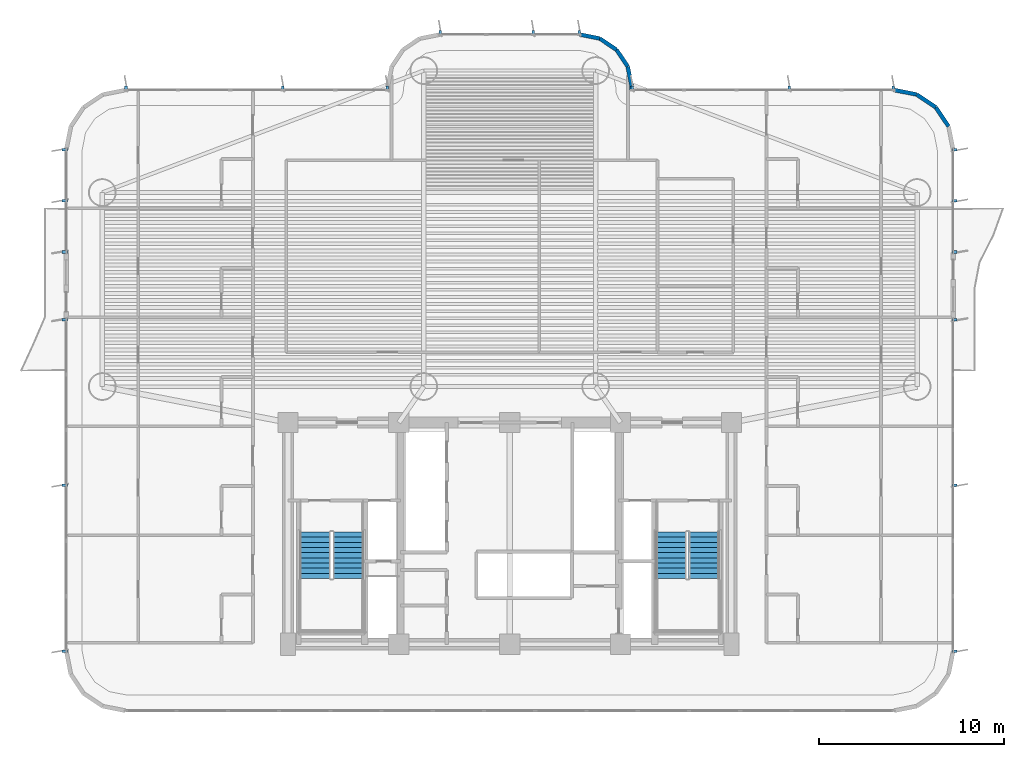
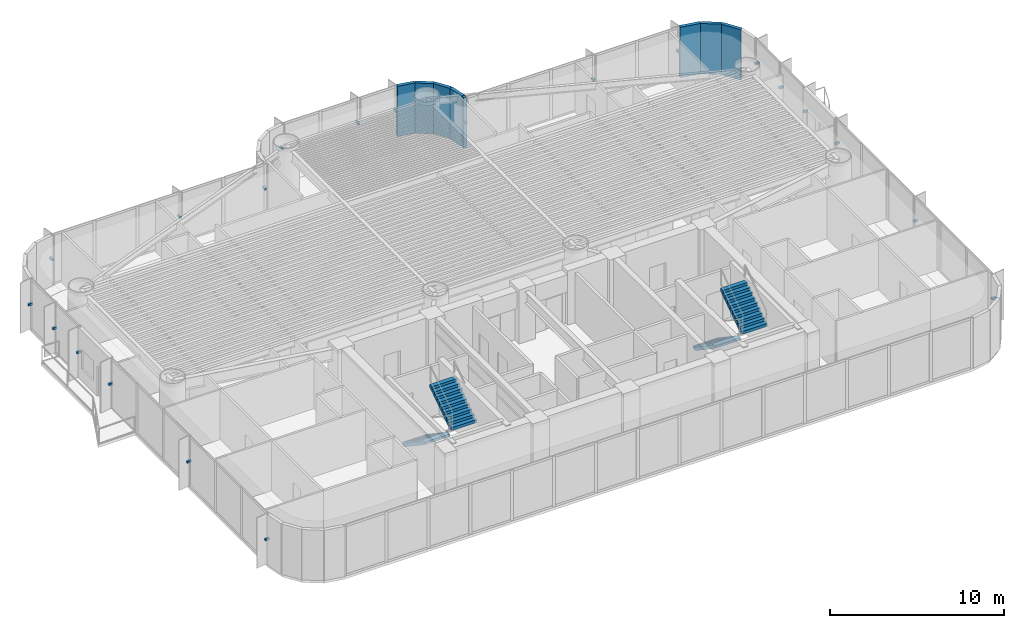
# One storey, part 14 of 18: 21 discrete accessories, 8 walls, 4 stair flights, 2 elements without a shape of their own.
"""IFC4 building model written with IfcOpenShell, lengths in metres."""

from ifc_helpers import new_model, si_unit, direction, frame, frame_2d, origin, origin_2d, place, context, subcontext, project, spatial, polyline, rectangle, outline, extrude, source, transform, mapped, material, layer, layer_set, type_object, element, aggregate, save


model = new_model("IFC4")

# Units and contexts
model_context = context("Model", 3, precision=1e-05, world=origin(), true_north=direction((0.0, 1.0)))
body_context = subcontext(model_context, "Body", "Model", "MODEL_VIEW")
ifc_project = project(units=[si_unit("LENGTHUNIT", "METRE"), si_unit("AREAUNIT", "SQUARE_METRE"), si_unit("VOLUMEUNIT", "CUBIC_METRE"), si_unit("PLANEANGLEUNIT", "RADIAN"), si_unit("MASSUNIT", "GRAM", prefix="KILO")], contexts=[model_context])

# Site, building, storey
site_placement = place(None, origin())
site = spatial("IfcSite", under=ifc_project, at=site_placement, CompositionType="ELEMENT")
building_placement = place(site_placement, origin())
building = spatial("IfcBuilding", under=site, at=building_placement, Name="Brelvock Crest Care Tower", CompositionType="ELEMENT")
storey_placement = place(building_placement, frame((0.0, 0.0, 42.1201171875)))
storey = spatial("IfcBuildingStorey", under=building, at=storey_placement, Name="L10", CompositionType="ELEMENT", Elevation=42.1201171875)

# Walls
ifc_material_1 = material(Name="Precast concrete N40 (40 MPa)", Category="concrete")
ifc_layer = layer(ifc_material_1, 0.215087890625, Name="WL-EX2")
ifc_layer_set = layer_set([ifc_layer], Name="Precast concrete N40 (40 MPa)")
wall_type = type_object("IfcWallType", Name="WL-EX2", PredefinedType="SOLIDWALL", material=ifc_layer_set)
for number, where, z_axis, x_axis, name in (
    (1, (58.024658203125, 35.75634765625, 0.0), (0.0, 0.0, 1.0), (0.831478245117, -0.555557312883, 0.0), "L10 Rounded Corner Wall 00"),
    (2, (59.062744140625, 35.062744140625, 0.0), (0.0, 0.0, 1.0), (0.555557312883, -0.831478245117, 0.0), "L10 Rounded Corner Wall 01"),
):
    element("IfcWall", number, at=place(storey_placement, frame(where, z_axis=z_axis, x_axis=x_axis)), inside=storey, type_object=wall_type, Name=name, PredefinedType="SOLIDWALL", context=body_context, shape_type="SweptSolid", body=[
        extrude(rectangle(XDim=1.24853515625, YDim=0.215087890625, at=frame_2d((0.624267578125, 0.0))), origin(), (0.0, 0.0, 1.0), 3.52978515625),
    ])
wall_1_placement = place(storey_placement, frame((39.800048828125, 39.0, 0.0), z_axis=(0.0, 0.0, 1.0), x_axis=(0.980786408364, -0.195084651288, 0.0)))
element("IfcWall", 3, at=wall_1_placement, inside=storey, type_object=wall_type, Name="L10 Rounded Corner Wall 25", PredefinedType="SOLIDWALL", context=body_context, shape_type="SweptSolid", body=[
    extrude(rectangle(XDim=1.092529296875, YDim=0.215087890625, at=frame_2d((0.54638671875, 0.0))), origin(), (0.0, 0.0, 1.0), 3.52978515625),
])
wall_2_placement = place(storey_placement, frame((40.87158203125, 38.786865234375, 0.0), z_axis=(0.0, 0.0, 1.0), x_axis=(0.831430845238, -0.555628247651, 0.0)))
element("IfcWall", 4, at=wall_2_placement, inside=storey, type_object=wall_type, Name="L10 Rounded Corner Wall 26", PredefinedType="SOLIDWALL", context=body_context, shape_type="SweptSolid", body=[
    extrude(rectangle(XDim=1.09228515625, YDim=0.215087890625, at=frame_2d((0.546142578125, 0.0))), origin(), (0.0, 0.0, 1.0), 3.52978515625),
])
wall_3_placement = place(storey_placement, frame((41.77978515625, 38.179931640625, 0.0), z_axis=(0.0, 0.0, 1.0), x_axis=(0.555679482341, -0.831396603857, 0.0)))
element("IfcWall", 5, at=wall_3_placement, inside=storey, type_object=wall_type, Name="L10 Rounded Corner Wall 27", PredefinedType="SOLIDWALL", context=body_context, shape_type="SweptSolid", body=[
    extrude(rectangle(XDim=1.0927734375, YDim=0.215087890625, at=frame_2d((0.54638671875, 0.0))), origin(), (0.0, 0.0, 1.0), 3.52978515625),
])
wall_4_placement = place(storey_placement, frame((42.386962890625, 37.271484375, 0.0), z_axis=(0.0, 0.0, 1.0), x_axis=(0.195084651288, -0.980786408364, 0.0)))
element("IfcWall", 6, at=wall_4_placement, inside=storey, type_object=wall_type, Name="L10 Rounded Corner Wall 28", PredefinedType="SOLIDWALL", context=body_context, shape_type="SweptSolid", body=[
    extrude(rectangle(XDim=1.092529296875, YDim=0.215087890625, at=frame_2d((0.54638671875, 0.0))), origin(), (0.0, 0.0, 1.0), 3.52978515625),
])
wall_5_placement = place(storey_placement, frame((42.60009765625, 36.199951171875, 0.0), z_axis=(0.0, 0.0, 1.0), x_axis=(0.0, -1.0, 0.0)))
element("IfcWall", 7, at=wall_5_placement, inside=storey, type_object=wall_type, Name="L10 Rounded Corner Wall 29", PredefinedType="SOLIDWALL", context=body_context, shape_type="SweptSolid", body=[
    extrude(rectangle(XDim=0.199951171875, YDim=0.215087890625, at=frame_2d((0.10009765625, 0.0))), origin(), (0.0, 0.0, 1.0), 3.52978515625),
])
wall_6_placement = place(storey_placement, frame((56.800048828125, 36.0, 0.0), z_axis=(0.0, 0.0, 1.0), x_axis=(0.980775717779, -0.195138390419, 0.0)))
element("IfcWall", 8, at=wall_6_placement, inside=storey, type_object=wall_type, Name="L10 Rounded Corner Wall 31", PredefinedType="SOLIDWALL", context=body_context, shape_type="SweptSolid", body=[
    extrude(rectangle(XDim=1.24853515625, YDim=0.215087890625, at=frame_2d((0.624267578125, 0.0))), origin(), (0.0, 0.0, 1.0), 3.52978515625),
])

# Stair, stair flights
ifc_material_2 = material(Name="Concrete N40 (40 MPa)", Category="concrete")
stair_type = type_object("IfcStairType", Name="ST-CORE1", PredefinedType="HALF_TURN_STAIR", material=ifc_material_2)
stair_1_placement = place(storey_placement, origin())
stair_1 = element("IfcStair", 9, at=stair_1_placement, inside=storey, type_object=stair_type, Name="L10 Fire-Isolated Core Stair ST-1", PredefinedType="HALF_TURN_STAIR")
stair_flight_type = type_object("IfcStairFlightType", Name="STF-1", PredefinedType="STRAIGHT", material=ifc_material_2)
stair_flight_1_placement = place(storey_placement, frame((25.469970703125, 12.080078125, 0.0), z_axis=(0.0, 0.0, 1.0), x_axis=(0.0, -1.0, 0.0)))
stair_flight_1 = element("IfcStairFlight", 10, at=stair_flight_1_placement, type_object=stair_flight_type, Name="ST-1 flight 1", NumberOfRisers=10, NumberOfTreads=9, PredefinedType="STRAIGHT", RiserHeight=0.189, TreadLength=0.28, context=body_context, shape_type="SweptSolid", body=[
    extrude(outline(polyline([(-0.00390625, -0.014892578125), (-0.00390625, -0.0078125), (-0.00390625, -0.00048828125), (-0.00390625, 0.0068359375), (-0.00390625, 0.01416015625), (-0.00390625, 0.021484375), (-0.00390625, 0.02880859375), (-0.00390625, 0.035888671875), (-0.00390625, 0.043212890625), (-0.00390625, 0.050537109375), (-0.00390625, 0.057861328125), (-0.00390625, 0.065185546875), (-0.00390625, 0.072509765625), (-0.00390625, 0.07958984375), (-0.00390625, 0.0869140625), (-0.00390625, 0.09423828125), (-0.00390625, 0.1015625), (-0.00390625, 0.10888671875), (-0.00390625, 0.1162109375), (-0.00390625, 0.12353515625), (-0.00390625, 0.130615234375), (-0.00390625, 0.137939453125), (-0.00390625, 0.145263671875), (-0.00390625, 0.152587890625), (-0.00390625, 0.159912109375), (-0.00390625, 0.167236328125), (-0.00390625, 0.17431640625), (-0.00390625, 0.181640625), (-0.00390625, 0.18896484375), (0.0, 0.18896484375), (0.280029296875, 0.18896484375), (0.280029296875, 0.3779296875), (0.56005859375, 0.3779296875), (0.56005859375, 0.56689453125), (0.840087890625, 0.56689453125), (0.840087890625, 0.756103515625), (1.1201171875, 0.756103515625), (1.1201171875, 0.945068359375), (1.39990234375, 0.945068359375), (1.39990234375, 1.134033203125), (1.679931640625, 1.134033203125), (1.679931640625, 1.322998046875), (1.9599609375, 1.322998046875), (1.9599609375, 1.511962890625), (2.239990234375, 1.511962890625), (2.239990234375, 1.700927734375), (2.52001953125, 1.700927734375), (2.52392578125, 1.700927734375), (2.523681640625, 1.70068359375), (2.52392578125, 1.700439453125), (2.523681640625, 1.699951171875), (2.52392578125, 1.69970703125), (2.523681640625, 1.699462890625), (2.52392578125, 1.698974609375), (2.523681640625, 1.69873046875), (2.52392578125, 1.698486328125), (2.523681640625, 1.697998046875), (2.52392578125, 1.69775390625), (2.523681640625, 1.697509765625), (2.52392578125, 1.697021484375), (2.523681640625, 1.69677734375), (2.52392578125, 1.696533203125), (2.523681640625, 1.6962890625), (2.52392578125, 1.69580078125), (2.523681640625, 1.695556640625), (2.52392578125, 1.6953125), (2.523681640625, 1.69482421875), (2.52392578125, 1.694580078125), (2.523681640625, 1.6943359375), (2.52392578125, 1.69384765625), (2.523681640625, 1.693603515625), (2.52392578125, 1.693359375), (2.523681640625, 1.69287109375), (2.52392578125, 1.692626953125), (2.523681640625, 1.6923828125), (2.52392578125, 1.69189453125), (2.52001953125, 1.520263671875), (0.267822265625, 0.0), (0.0, 0.0), (0.0, -0.014892578125), (-0.00390625, -0.014892578125)])), frame((0.0, 0.83984375, 0.0), z_axis=(0.0, -1.0, 0.0), x_axis=(1.0, 0.0, 0.0)), (0.0, 0.0, 1.0), 1.679931640625),
])
stair_flight_2_placement = place(storey_placement, frame((27.27001953125, 9.56005859375, 1.889892578125), z_axis=(0.0, 0.0, 1.0), x_axis=(0.0, 1.0, 0.0)))
stair_flight_2 = element("IfcStairFlight", 11, at=stair_flight_2_placement, type_object=stair_flight_type, Name="ST-1 flight 2", NumberOfRisers=10, NumberOfTreads=9, PredefinedType="STRAIGHT", RiserHeight=0.189, TreadLength=0.28, context=body_context, shape_type="SweptSolid", body=[
    extrude(outline(polyline([(-0.00390625, -0.014892578125), (-0.00390625, -0.0078125), (-0.00390625, -0.00048828125), (-0.00390625, 0.0068359375), (-0.00390625, 0.01416015625), (-0.00390625, 0.021484375), (-0.00390625, 0.02880859375), (-0.00390625, 0.035888671875), (-0.00390625, 0.043212890625), (-0.00390625, 0.050537109375), (-0.00390625, 0.057861328125), (-0.00390625, 0.065185546875), (-0.00390625, 0.072509765625), (-0.00390625, 0.07958984375), (-0.00390625, 0.0869140625), (-0.00390625, 0.09423828125), (-0.00390625, 0.1015625), (-0.00390625, 0.10888671875), (-0.00390625, 0.1162109375), (-0.00390625, 0.12353515625), (-0.00390625, 0.130615234375), (-0.00390625, 0.137939453125), (-0.00390625, 0.145263671875), (-0.00390625, 0.152587890625), (-0.00390625, 0.159912109375), (-0.00390625, 0.167236328125), (-0.00390625, 0.17431640625), (-0.00390625, 0.181640625), (-0.00390625, 0.18896484375), (0.0, 0.18896484375), (0.280029296875, 0.18896484375), (0.280029296875, 0.3779296875), (0.56005859375, 0.3779296875), (0.56005859375, 0.56689453125), (0.840087890625, 0.56689453125), (0.840087890625, 0.756103515625), (1.1201171875, 0.756103515625), (1.1201171875, 0.945068359375), (1.39990234375, 0.945068359375), (1.39990234375, 1.134033203125), (1.679931640625, 1.134033203125), (1.679931640625, 1.322998046875), (1.9599609375, 1.322998046875), (1.9599609375, 1.511962890625), (2.239990234375, 1.511962890625), (2.239990234375, 1.700927734375), (2.52001953125, 1.700927734375), (2.52392578125, 1.700927734375), (2.523681640625, 1.70068359375), (2.52392578125, 1.700439453125), (2.523681640625, 1.699951171875), (2.52392578125, 1.69970703125), (2.523681640625, 1.699462890625), (2.52392578125, 1.698974609375), (2.523681640625, 1.69873046875), (2.52392578125, 1.698486328125), (2.523681640625, 1.697998046875), (2.52392578125, 1.69775390625), (2.523681640625, 1.697509765625), (2.52392578125, 1.697021484375), (2.523681640625, 1.69677734375), (2.52392578125, 1.696533203125), (2.523681640625, 1.6962890625), (2.52392578125, 1.69580078125), (2.523681640625, 1.695556640625), (2.52392578125, 1.6953125), (2.523681640625, 1.69482421875), (2.52392578125, 1.694580078125), (2.523681640625, 1.6943359375), (2.52392578125, 1.69384765625), (2.523681640625, 1.693603515625), (2.52392578125, 1.693359375), (2.523681640625, 1.69287109375), (2.52392578125, 1.692626953125), (2.523681640625, 1.6923828125), (2.52392578125, 1.69189453125), (2.52001953125, 1.520263671875), (0.267822265625, 0.0), (0.0, 0.0), (0.0, -0.014892578125), (-0.00390625, -0.014892578125)])), frame((0.0, 0.83984375, 0.0), z_axis=(0.0, -1.0, 0.0), x_axis=(1.0, 0.0, 0.0)), (0.0, 0.0, 1.0), 1.679931640625),
])
aggregate(stair_1, [stair_flight_1, stair_flight_2])

stair_2_placement = place(storey_placement, origin())
stair_2 = element("IfcStair", 12, at=stair_2_placement, inside=storey, type_object=stair_type, Name="L10 Fire-Isolated Core Stair ST-2", PredefinedType="HALF_TURN_STAIR")
stair_flight_3_placement = place(storey_placement, frame((44.72998046875, 12.080078125, 0.0), z_axis=(0.0, 0.0, 1.0), x_axis=(0.0, -1.0, 0.0)))
stair_flight_3 = element("IfcStairFlight", 13, at=stair_flight_3_placement, type_object=stair_flight_type, Name="ST-2 flight 1", NumberOfRisers=10, NumberOfTreads=9, PredefinedType="STRAIGHT", RiserHeight=0.189, TreadLength=0.28, context=body_context, shape_type="SweptSolid", body=[
    extrude(outline(polyline([(-0.00390625, -0.014892578125), (-0.00390625, -0.0078125), (-0.00390625, -0.00048828125), (-0.00390625, 0.0068359375), (-0.00390625, 0.01416015625), (-0.00390625, 0.021484375), (-0.00390625, 0.02880859375), (-0.00390625, 0.035888671875), (-0.00390625, 0.043212890625), (-0.00390625, 0.050537109375), (-0.00390625, 0.057861328125), (-0.00390625, 0.065185546875), (-0.00390625, 0.072509765625), (-0.00390625, 0.07958984375), (-0.00390625, 0.0869140625), (-0.00390625, 0.09423828125), (-0.00390625, 0.1015625), (-0.00390625, 0.10888671875), (-0.00390625, 0.1162109375), (-0.00390625, 0.12353515625), (-0.00390625, 0.130615234375), (-0.00390625, 0.137939453125), (-0.00390625, 0.145263671875), (-0.00390625, 0.152587890625), (-0.00390625, 0.159912109375), (-0.00390625, 0.167236328125), (-0.00390625, 0.17431640625), (-0.00390625, 0.181640625), (-0.00390625, 0.18896484375), (0.0, 0.18896484375), (0.280029296875, 0.18896484375), (0.280029296875, 0.3779296875), (0.56005859375, 0.3779296875), (0.56005859375, 0.56689453125), (0.840087890625, 0.56689453125), (0.840087890625, 0.756103515625), (1.1201171875, 0.756103515625), (1.1201171875, 0.945068359375), (1.39990234375, 0.945068359375), (1.39990234375, 1.134033203125), (1.679931640625, 1.134033203125), (1.679931640625, 1.322998046875), (1.9599609375, 1.322998046875), (1.9599609375, 1.511962890625), (2.239990234375, 1.511962890625), (2.239990234375, 1.700927734375), (2.52001953125, 1.700927734375), (2.52392578125, 1.700927734375), (2.523681640625, 1.70068359375), (2.52392578125, 1.700439453125), (2.523681640625, 1.699951171875), (2.52392578125, 1.69970703125), (2.523681640625, 1.699462890625), (2.52392578125, 1.698974609375), (2.523681640625, 1.69873046875), (2.52392578125, 1.698486328125), (2.523681640625, 1.697998046875), (2.52392578125, 1.69775390625), (2.523681640625, 1.697509765625), (2.52392578125, 1.697021484375), (2.523681640625, 1.69677734375), (2.52392578125, 1.696533203125), (2.523681640625, 1.6962890625), (2.52392578125, 1.69580078125), (2.523681640625, 1.695556640625), (2.52392578125, 1.6953125), (2.523681640625, 1.69482421875), (2.52392578125, 1.694580078125), (2.523681640625, 1.6943359375), (2.52392578125, 1.69384765625), (2.523681640625, 1.693603515625), (2.52392578125, 1.693359375), (2.523681640625, 1.69287109375), (2.52392578125, 1.692626953125), (2.523681640625, 1.6923828125), (2.52392578125, 1.69189453125), (2.52001953125, 1.520263671875), (0.267822265625, 0.0), (0.0, 0.0), (0.0, -0.014892578125), (-0.00390625, -0.014892578125)])), frame((0.0, 0.83984375, 0.0), z_axis=(0.0, -1.0, 0.0), x_axis=(1.0, 0.0, 0.0)), (0.0, 0.0, 1.0), 1.679931640625),
])
stair_flight_4_placement = place(storey_placement, frame((46.530029296875, 9.56005859375, 1.889892578125), z_axis=(0.0, 0.0, 1.0), x_axis=(0.0, 1.0, 0.0)))
stair_flight_4 = element("IfcStairFlight", 14, at=stair_flight_4_placement, type_object=stair_flight_type, Name="ST-2 flight 2", NumberOfRisers=10, NumberOfTreads=9, PredefinedType="STRAIGHT", RiserHeight=0.189, TreadLength=0.28, context=body_context, shape_type="SweptSolid", body=[
    extrude(outline(polyline([(-0.00390625, -0.014892578125), (-0.00390625, -0.0078125), (-0.00390625, -0.00048828125), (-0.00390625, 0.0068359375), (-0.00390625, 0.01416015625), (-0.00390625, 0.021484375), (-0.00390625, 0.02880859375), (-0.00390625, 0.035888671875), (-0.00390625, 0.043212890625), (-0.00390625, 0.050537109375), (-0.00390625, 0.057861328125), (-0.00390625, 0.065185546875), (-0.00390625, 0.072509765625), (-0.00390625, 0.07958984375), (-0.00390625, 0.0869140625), (-0.00390625, 0.09423828125), (-0.00390625, 0.1015625), (-0.00390625, 0.10888671875), (-0.00390625, 0.1162109375), (-0.00390625, 0.12353515625), (-0.00390625, 0.130615234375), (-0.00390625, 0.137939453125), (-0.00390625, 0.145263671875), (-0.00390625, 0.152587890625), (-0.00390625, 0.159912109375), (-0.00390625, 0.167236328125), (-0.00390625, 0.17431640625), (-0.00390625, 0.181640625), (-0.00390625, 0.18896484375), (0.0, 0.18896484375), (0.280029296875, 0.18896484375), (0.280029296875, 0.3779296875), (0.56005859375, 0.3779296875), (0.56005859375, 0.56689453125), (0.840087890625, 0.56689453125), (0.840087890625, 0.756103515625), (1.1201171875, 0.756103515625), (1.1201171875, 0.945068359375), (1.39990234375, 0.945068359375), (1.39990234375, 1.134033203125), (1.679931640625, 1.134033203125), (1.679931640625, 1.322998046875), (1.9599609375, 1.322998046875), (1.9599609375, 1.511962890625), (2.239990234375, 1.511962890625), (2.239990234375, 1.700927734375), (2.52001953125, 1.700927734375), (2.52392578125, 1.700927734375), (2.523681640625, 1.70068359375), (2.52392578125, 1.700439453125), (2.523681640625, 1.699951171875), (2.52392578125, 1.69970703125), (2.523681640625, 1.699462890625), (2.52392578125, 1.698974609375), (2.523681640625, 1.69873046875), (2.52392578125, 1.698486328125), (2.523681640625, 1.697998046875), (2.52392578125, 1.69775390625), (2.523681640625, 1.697509765625), (2.52392578125, 1.697021484375), (2.523681640625, 1.69677734375), (2.52392578125, 1.696533203125), (2.523681640625, 1.6962890625), (2.52392578125, 1.69580078125), (2.523681640625, 1.695556640625), (2.52392578125, 1.6953125), (2.523681640625, 1.69482421875), (2.52392578125, 1.694580078125), (2.523681640625, 1.6943359375), (2.52392578125, 1.69384765625), (2.523681640625, 1.693603515625), (2.52392578125, 1.693359375), (2.523681640625, 1.69287109375), (2.52392578125, 1.692626953125), (2.523681640625, 1.6923828125), (2.52392578125, 1.69189453125), (2.52001953125, 1.520263671875), (0.267822265625, 0.0), (0.0, 0.0), (0.0, -0.014892578125), (-0.00390625, -0.014892578125)])), frame((0.0, 0.83984375, 0.0), z_axis=(0.0, -1.0, 0.0), x_axis=(1.0, 0.0, 0.0)), (0.0, 0.0, 1.0), 1.679931640625),
])
aggregate(stair_2, [stair_flight_3, stair_flight_4])

# Discrete accessories
ifc_material_3 = material(Name="Steel Grade 350", Category="steel")
discrete_accessory_type = type_object("IfcDiscreteAccessoryType", Name="ACC-BRK1", PredefinedType="BRACKET", material=ifc_material_3)
shared_shape = source(origin(), body_context, "Body", "SweptSolid", [
    extrude(rectangle(XDim=0.280029296875, YDim=0.139892578125, at=origin_2d()), origin(), (0.0, 0.0, 1.0), 0.139892578125),
])
for number, where, z_axis, x_axis, name in (
    (15, (60.080078125, 32.767578125, 1.69482421875), (0.0, 0.0, 1.0), (1.0, 0.0, 0.0), "L10 Facade Fin Bracket E03A-01"),
    (16, (60.080078125, 30.0, 1.69482421875), (0.0, 0.0, 1.0), (1.0, 0.0, 0.0), "L10 Facade Fin Bracket E03A-02"),
    (17, (60.080078125, 27.232421875, 1.69482421875), (0.0, 0.0, 1.0), (1.0, 0.0, 0.0), "L10 Facade Fin Bracket E03A-03"),
    (18, (60.080078125, 23.5673828125, 1.69482421875), (0.0, 0.0, 1.0), (1.0, 0.0, 0.0), "L10 Facade Fin Bracket E03B-01"),
    (19, (60.080078125, 14.60009765625, 1.69482421875), (0.0, 0.0, 1.0), (1.0, 0.0, 0.0), "L10 Facade Fin Bracket E03B-04"),
    (20, (60.080078125, 5.632568359375, 1.69482421875), (0.0, 0.0, 1.0), (1.0, 0.0, 0.0), "L10 Facade Fin Bracket E03B-07"),
    (21, (11.919921875, 5.632568359375, 1.69482421875), (0.0, 0.0, 1.0), (-1.0, 0.0, 0.0), "L10 Facade Fin Bracket E13A-01"),
    (22, (11.919921875, 14.60009765625, 1.69482421875), (0.0, 0.0, 1.0), (-1.0, 0.0, 0.0), "L10 Facade Fin Bracket E13A-04"),
    (23, (11.919921875, 23.5673828125, 1.69482421875), (0.0, 0.0, 1.0), (-1.0, 0.0, 0.0), "L10 Facade Fin Bracket E13A-07"),
    (24, (11.919921875, 27.232421875, 1.69482421875), (0.0, 0.0, 1.0), (-1.0, 0.0, 0.0), "L10 Facade Fin Bracket E13B-01"),
    (25, (11.919921875, 30.0, 1.69482421875), (0.0, 0.0, 1.0), (-1.0, 0.0, 0.0), "L10 Facade Fin Bracket E13B-02"),
    (26, (11.919921875, 32.767578125, 1.69482421875), (0.0, 0.0, 1.0), (-1.0, 0.0, 0.0), "L10 Facade Fin Bracket E13B-03"),
    (27, (15.232421875, 36.080078125, 1.69482421875), (0.0, 0.0, 1.0), (0.0, 1.0, 0.0), "L10 Facade Fin Bracket E18-01"),
    (28, (23.719970703125, 36.080078125, 1.69482421875), (0.0, 0.0, 1.0), (0.0, 1.0, 0.0), "L10 Facade Fin Bracket E18-04"),
    (29, (29.367431640625, 36.080078125, 1.69482421875), (0.0, 0.0, 1.0), (0.0, 1.0, 0.0), "L10 Facade Fin Bracket E18-06"),
    (30, (32.232421875, 39.080078125, 1.69482421875), (0.0, 0.0, 1.0), (0.0, 1.0, 0.0), "L10 Facade Fin Bracket E24-01"),
    (31, (37.2666015625, 39.080078125, 1.69482421875), (0.0, 0.0, 1.0), (0.0, 1.0, 0.0), "L10 Facade Fin Bracket E24-03"),
    (32, (39.767578125, 39.080078125, 1.69482421875), (0.0, 0.0, 1.0), (0.0, 1.0, 0.0), "L10 Facade Fin Bracket E24-04"),
    (33, (42.632568359375, 36.080078125, 1.69482421875), (0.0, 0.0, 1.0), (0.0, 1.0, 0.0), "L10 Facade Fin Bracket E30-01"),
    (34, (51.1201171875, 36.080078125, 1.69482421875), (0.0, 0.0, 1.0), (0.0, 1.0, 0.0), "L10 Facade Fin Bracket E30-04"),
    (35, (56.767578125, 36.080078125, 1.69482421875), (0.0, 0.0, 1.0), (0.0, 1.0, 0.0), "L10 Facade Fin Bracket E30-06"),
):
    element("IfcDiscreteAccessory", number, at=place(storey_placement, frame(where, z_axis=z_axis, x_axis=x_axis)), inside=storey, type_object=discrete_accessory_type, Name=name, PredefinedType="BRACKET", context=body_context, shape_type="MappedRepresentation", body=[
        mapped(shared_shape, transform((0.0, 0.0, 0.0), x_axis=(1.0, 0.0, 0.0), y_axis=(0.0, 1.0, 0.0), z_axis=(0.0, 0.0, 1.0), scale=1.0)),
    ])

save(model, "model.ifc")
